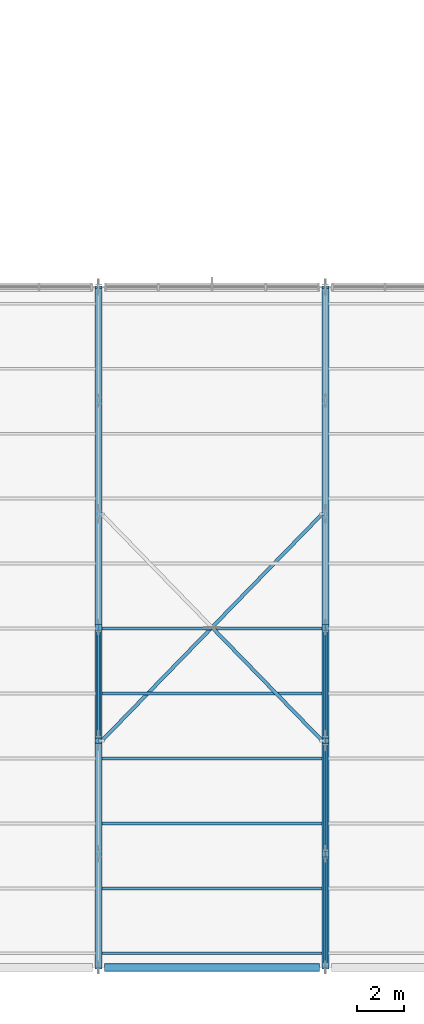
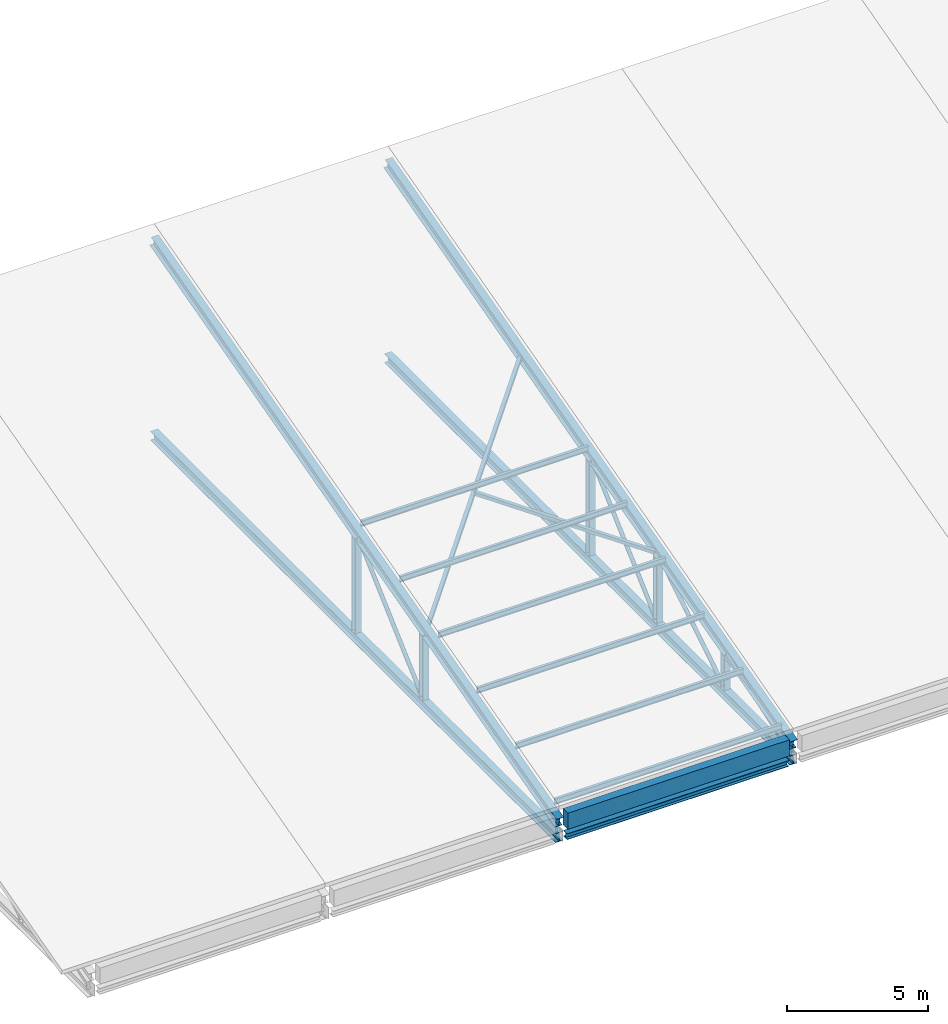
# One storey, part 4 of 57: 18 members, 5 beams.
"""IFC4 building model written with IfcOpenShell, lengths in metres."""

from ifc_helpers import new_model, si_unit, direction, frame, origin, origin_2d, place, context, subcontext, project, spatial, rectangle, hollow_rectangle, hollow_circle, i_section, extrude, material, material_profile, profile_set, type_object, element, save


model = new_model("IFC4")

# Units and contexts
model_context = context("Model", 3, precision=1e-05, world=origin(), true_north=direction((0.0, 1.0)))
body_context = subcontext(model_context, "Body", "Model", "MODEL_VIEW")
ifc_project = project(units=[si_unit("LENGTHUNIT", "METRE"), si_unit("AREAUNIT", "SQUARE_METRE"), si_unit("VOLUMEUNIT", "CUBIC_METRE"), si_unit("PLANEANGLEUNIT", "RADIAN"), si_unit("MASSUNIT", "GRAM", prefix="KILO")], contexts=[model_context])

# Site, building, storey
site_placement = place(None, origin())
site = spatial("IfcSite", under=ifc_project, at=site_placement, CompositionType="ELEMENT")
building_placement = place(site_placement, origin())
building = spatial("IfcBuilding", under=site, at=building_placement, Name="Shalvenor Court Art Gallery", CompositionType="ELEMENT")
storey_placement = place(building_placement, frame((0.0, 0.0, 16.800048828125)))
storey = spatial("IfcBuildingStorey", under=building, at=storey_placement, Name="L03", CompositionType="ELEMENT", Elevation=16.800048828125)

# Members
ifc_material_1 = material(Name="Steel S355", Category="steel")
ifc_material_profile_1 = material_profile(ifc_material_1, i_section(OverallWidth=0.1201171875, OverallDepth=0.239990234375, WebThickness=0.006103515625, FlangeThickness=0.009765625, at=origin_2d()), Name="IPE 240")
ifc_profile_set_1 = profile_set([ifc_material_profile_1], Name="Steel S355")
member_type_1 = type_object("IfcMemberType", Name="PR-02", PredefinedType="PURLIN", material=ifc_profile_set_1)
for number, where, z_axis, x_axis, name in (
    (1, (19.3349609375, 0.60009765625, -0.2138671875), (1.0, 0.0, 0.0), (0.0, 1.0, 0.0), "L03 V4 Roof Purlin 3.1"),
    (2, (19.3349609375, 3.35009765625, 0.531005859375), (1.0, 0.0, 0.0), (0.0, 1.0, 0.0), "L03 V4 Roof Purlin 3.2"),
    (3, (19.3349609375, 6.10009765625, 1.275634765625), (1.0, 0.0, 0.0), (0.0, 1.0, 0.0), "L03 V4 Roof Purlin 3.3"),
    (4, (19.3349609375, 8.85009765625, 2.0205078125), (1.0, 0.0, 0.0), (0.0, 1.0, 0.0), "L03 V4 Roof Purlin 3.4"),
    (5, (19.3349609375, 11.60009765625, 2.765380859375), (1.0, 0.0, 0.0), (0.0, 1.0, 0.0), "L03 V4 Roof Purlin 3.5"),
    (6, (19.3349609375, 14.35009765625, 3.51025390625), (1.0, 0.0, 0.0), (0.0, 1.0, 0.0), "L03 V4 Roof Purlin 3.6"),
):
    element("IfcMember", number, at=place(storey_placement, frame(where, z_axis=z_axis, x_axis=x_axis)), inside=storey, type_object=member_type_1, Name=name, PredefinedType="PURLIN", context=body_context, shape_type="SweptSolid", body=[
        extrude(i_section(OverallWidth=0.1201171875, OverallDepth=0.239990234375, WebThickness=0.006103515625, FlangeThickness=0.009765625, at=origin_2d()), origin(), (0.0, 0.0, 1.0), 9.330078125),
    ])

# Beams
ifc_material_2 = material(Name="Concrete C40/50", Category="concrete")
ifc_material_profile_2 = material_profile(ifc_material_2, rectangle(XDim=0.35009765625, YDim=0.699951171875, at=origin_2d()), Name="RC 350x700")
ifc_profile_set_2 = profile_set([ifc_material_profile_2], Name="Concrete C40/50")
beam_type_1 = type_object("IfcBeamType", Name="SP-01", PredefinedType="SPANDREL", material=ifc_profile_set_2)
beam_placement = place(storey_placement, frame((19.449951171875, 0.0, -0.650146484375), z_axis=(1.0, 0.0, 0.0), x_axis=(0.0, 1.0, 0.0)))
element("IfcBeam", 7, at=beam_placement, inside=storey, type_object=beam_type_1, Name="L03 Spandrel Girder BM-L03-SP-01-1042", PredefinedType="SPANDREL", context=body_context, shape_type="SweptSolid", body=[
    extrude(rectangle(XDim=0.35009765625, YDim=0.699951171875, at=origin_2d()), origin(), (0.0, 0.0, 1.0), 9.10009765625),
])
ifc_material_3 = material(Name="Steel S355", Category="steel")
ifc_material_profile_3 = material_profile(ifc_material_3, i_section(OverallWidth=0.300048828125, OverallDepth=0.43994140625, WebThickness=0.011474609375, FlangeThickness=0.02099609375, at=origin_2d()), Name="HEA 450")
ifc_profile_set_3 = profile_set([ifc_material_profile_3], Name="Steel S355")
beam_type_2 = type_object("IfcBeamType", Name="TC-02", PredefinedType="USERDEFINED", material=ifc_profile_set_3)
for number, where, z_axis, x_axis, name in (
    (8, (19.199951171875, 0.0, -0.708251953125), (0.0, 0.965228135416, 0.261408964271), (-1.0, 0.0, 0.0), "TR-V4-03 Roof Truss Continuous Top Chord"),
    (9, (28.800048828125, 0.0, -0.708251953125), (0.0, 0.965228135416, 0.261408964271), (-1.0, 0.0, 0.0), "TR-V4-04 Roof Truss Continuous Top Chord"),
):
    element("IfcBeam", number, at=place(storey_placement, frame(where, z_axis=z_axis, x_axis=x_axis)), inside=storey, type_object=beam_type_2, Name=name, ObjectType="ROOF TRUSS", PredefinedType="USERDEFINED", context=body_context, shape_type="SweptSolid", body=[
        extrude(i_section(OverallWidth=0.300048828125, OverallDepth=0.43994140625, WebThickness=0.011474609375, FlangeThickness=0.02099609375, at=origin_2d()), origin(), (0.0, 0.0, 1.0), 29.837646484375),
    ])
ifc_material_4 = material(Name="Steel S355", Category="steel")
ifc_material_profile_4 = material_profile(ifc_material_4, i_section(OverallWidth=0.300048828125, OverallDepth=0.39990234375, WebThickness=0.013427734375, FlangeThickness=0.02392578125, at=origin_2d()), Name="HEB 400")
ifc_profile_set_4 = profile_set([ifc_material_profile_4], Name="Steel S355")
beam_type_3 = type_object("IfcBeamType", Name="TC-04", PredefinedType="USERDEFINED", material=ifc_profile_set_4)
for number, where, z_axis, x_axis, name in (
    (10, (19.199951171875, 0.0, -1.35009765625), (0.0, 1.0, 0.0), (-1.0, 0.0, 0.0), "TR-V4-03 Roof Truss Continuous Bottom Chord"),
    (11, (28.800048828125, 0.0, -1.35009765625), (0.0, 1.0, 0.0), (-1.0, 0.0, 0.0), "TR-V4-04 Roof Truss Continuous Bottom Chord"),
):
    element("IfcBeam", number, at=place(storey_placement, frame(where, z_axis=z_axis, x_axis=x_axis)), inside=storey, type_object=beam_type_3, Name=name, ObjectType="ROOF TRUSS", PredefinedType="USERDEFINED", context=body_context, shape_type="SweptSolid", body=[
        extrude(i_section(OverallWidth=0.300048828125, OverallDepth=0.39990234375, WebThickness=0.013427734375, FlangeThickness=0.02392578125, at=origin_2d()), origin(), (0.0, 0.0, 1.0), 28.800048828125),
    ])

# Members
ifc_material_5 = material(Name="Steel S355", Category="steel")
ifc_material_profile_5 = material_profile(ifc_material_5, hollow_rectangle(XDim=0.14990234375, YDim=0.14990234375, WallThickness=0.008056640625, at=origin_2d()), Name="SHS 150x150x8.0")
ifc_profile_set_5 = profile_set([ifc_material_profile_5], Name="Steel S355")
member_type_2 = type_object("IfcMemberType", Name="TM-B1", PredefinedType="BRACE", material=ifc_profile_set_5)
member_1_placement = place(storey_placement, frame((19.3349609375, 9.60009765625, 1.8916015625), z_axis=(0.684173278342, 0.703955868685, 0.190664784759), x_axis=(-0.717111125885, 0.696958846082, 0.0)))
element("IfcMember", 12, at=member_1_placement, inside=storey, type_object=member_type_2, Name="L03 V4 Roof Plan Brace 3.1", PredefinedType="BRACE", context=body_context, shape_type="SweptSolid", body=[
    extrude(hollow_rectangle(XDim=0.14990234375, YDim=0.14990234375, WallThickness=0.008056640625, at=origin_2d()), origin(), (0.0, 0.0, 1.0), 13.636962890625),
])
member_2_placement = place(storey_placement, frame((28.6650390625, 9.60009765625, 1.8916015625), z_axis=(-0.684173061882, 0.703959927151, 0.190650576608), x_axis=(-0.71711324433, -0.696956666376, 0.0)))
element("IfcMember", 13, at=member_2_placement, inside=storey, type_object=member_type_2, Name="L03 V4 Roof Plan Brace 3.2A", PredefinedType="BRACE", context=body_context, shape_type="SweptSolid", body=[
    extrude(hollow_rectangle(XDim=0.14990234375, YDim=0.14990234375, WallThickness=0.008056640625, at=origin_2d()), origin(), (0.0, 0.0, 1.0), 6.798583984375),
])
ifc_material_6 = material(Name="Steel S355", Category="steel")
ifc_material_profile_6 = material_profile(ifc_material_6, i_section(OverallWidth=0.260009765625, OverallDepth=0.260009765625, WebThickness=0.010009765625, FlangeThickness=0.017578125, at=origin_2d()), Name="HEB 260")
ifc_profile_set_6 = profile_set([ifc_material_profile_6], Name="Steel S355")
member_type_3 = type_object("IfcMemberType", Name="TM-C1", PredefinedType="CHORD", material=ifc_profile_set_6)
member_3_placement = place(storey_placement, frame((19.449951171875, 0.0, -1.35009765625), z_axis=(1.0, 0.0, 0.0), x_axis=(0.0, 1.0, 0.0)))
element("IfcMember", 14, at=member_3_placement, inside=storey, type_object=member_type_3, Name="L03 V4 Eave Truss Chord Tie 3.1", PredefinedType="CHORD", context=body_context, shape_type="SweptSolid", body=[
    extrude(i_section(OverallWidth=0.260009765625, OverallDepth=0.260009765625, WebThickness=0.010009765625, FlangeThickness=0.017578125, at=origin_2d()), origin(), (0.0, 0.0, 1.0), 9.10009765625),
])
ifc_material_7 = material(Name="Steel S355", Category="steel")
ifc_material_profile_7 = material_profile(ifc_material_7, hollow_circle(Radius=0.084228515625, WallThickness=0.008056640625, at=origin_2d()), Name="CHS 168.3x8.0")
ifc_profile_set_7 = profile_set([ifc_material_profile_7], Name="Steel S355")
member_type_4 = type_object("IfcMemberType", Name="TM-D2", PredefinedType="BRACE", material=ifc_profile_set_7)
member_4_placement = place(storey_placement, frame((19.199951171875, 9.739990234375, -1.16015625), z_axis=(0.0, 0.737276451266, 0.675591174016), x_axis=(-1.0, 0.0, 0.0)))
element("IfcMember", 15, at=member_4_placement, inside=storey, type_object=member_type_4, Name="TR-V4-03 Roof Truss Diagonal 3", PredefinedType="BRACE", context=body_context, shape_type="SweptSolid", body=[
    extrude(hollow_circle(Radius=0.084228515625, WallThickness=0.008056640625, at=origin_2d()), origin(), (0.0, 0.0, 1.0), 6.130615234375),
])
member_5_placement = place(storey_placement, frame((28.800048828125, 0.139892578125, -1.16015625), z_axis=(0.0, 0.946456948747, 0.322830054625), x_axis=(-1.0, 0.0, 0.0)))
element("IfcMember", 16, at=member_5_placement, inside=storey, type_object=member_type_4, Name="TR-V4-04 Roof Truss Diagonal 1", PredefinedType="BRACE", context=body_context, shape_type="SweptSolid", body=[
    extrude(hollow_circle(Radius=0.084228515625, WallThickness=0.008056640625, at=origin_2d()), origin(), (0.0, 0.0, 1.0), 4.775634765625),
])
member_6_placement = place(storey_placement, frame((28.800048828125, 4.93994140625, -1.16015625), z_axis=(0.0, 0.84658238997, 0.532257697918), x_axis=(-1.0, 0.0, 0.0)))
element("IfcMember", 17, at=member_6_placement, inside=storey, type_object=member_type_4, Name="TR-V4-04 Roof Truss Diagonal 2", PredefinedType="BRACE", context=body_context, shape_type="SweptSolid", body=[
    extrude(hollow_circle(Radius=0.084228515625, WallThickness=0.008056640625, at=origin_2d()), origin(), (0.0, 0.0, 1.0), 5.339111328125),
])
member_7_placement = place(storey_placement, frame((28.800048828125, 9.739990234375, -1.16015625), z_axis=(0.0, 0.737276451266, 0.675591174016), x_axis=(-1.0, 0.0, 0.0)))
element("IfcMember", 18, at=member_7_placement, inside=storey, type_object=member_type_4, Name="TR-V4-04 Roof Truss Diagonal 3", PredefinedType="BRACE", context=body_context, shape_type="SweptSolid", body=[
    extrude(hollow_circle(Radius=0.084228515625, WallThickness=0.008056640625, at=origin_2d()), origin(), (0.0, 0.0, 1.0), 6.130615234375),
])
ifc_material_8 = material(Name="Steel S355", Category="steel")
ifc_material_profile_8 = material_profile(ifc_material_8, i_section(OverallWidth=0.260009765625, OverallDepth=0.260009765625, WebThickness=0.010009765625, FlangeThickness=0.017578125, at=origin_2d()), Name="HEB 260")
ifc_profile_set_8 = profile_set([ifc_material_profile_8], Name="Steel S355")
member_type_5 = type_object("IfcMemberType", Name="TM-V1", PredefinedType="STRUT", material=ifc_profile_set_8)
member_8_placement = place(storey_placement, frame((19.199951171875, 9.60009765625, -1.155029296875), z_axis=(0.0, 0.0, 1.0), x_axis=(1.0, 0.0, 0.0)))
element("IfcMember", 19, at=member_8_placement, inside=storey, type_object=member_type_5, Name="TR-V4-03 Roof Truss Vertical 3", PredefinedType="STRUT", context=body_context, shape_type="SweptSolid", body=[
    extrude(i_section(OverallWidth=0.260009765625, OverallDepth=0.260009765625, WebThickness=0.010009765625, FlangeThickness=0.017578125, at=origin_2d()), origin(), (0.0, 0.0, 1.0), 2.831787109375),
])
member_9_placement = place(storey_placement, frame((19.199951171875, 14.39990234375, -1.155029296875), z_axis=(0.0, 0.0, 1.0), x_axis=(1.0, 0.0, 0.0)))
element("IfcMember", 20, at=member_9_placement, inside=storey, type_object=member_type_5, Name="TR-V4-03 Roof Truss Vertical 4", PredefinedType="STRUT", context=body_context, shape_type="SweptSolid", body=[
    extrude(i_section(OverallWidth=0.260009765625, OverallDepth=0.260009765625, WebThickness=0.010009765625, FlangeThickness=0.017578125, at=origin_2d()), origin(), (0.0, 0.0, 1.0), 4.131591796875),
])
member_10_placement = place(storey_placement, frame((28.800048828125, 4.800048828125, -1.155029296875), z_axis=(0.0, 0.0, 1.0), x_axis=(1.0, 0.0, 0.0)))
element("IfcMember", 21, at=member_10_placement, inside=storey, type_object=member_type_5, Name="TR-V4-04 Roof Truss Vertical 2", PredefinedType="STRUT", context=body_context, shape_type="SweptSolid", body=[
    extrude(i_section(OverallWidth=0.260009765625, OverallDepth=0.260009765625, WebThickness=0.010009765625, FlangeThickness=0.017578125, at=origin_2d()), origin(), (0.0, 0.0, 1.0), 1.53173828125),
])
member_11_placement = place(storey_placement, frame((28.800048828125, 9.60009765625, -1.155029296875), z_axis=(0.0, 0.0, 1.0), x_axis=(1.0, 0.0, 0.0)))
element("IfcMember", 22, at=member_11_placement, inside=storey, type_object=member_type_5, Name="TR-V4-04 Roof Truss Vertical 3", PredefinedType="STRUT", context=body_context, shape_type="SweptSolid", body=[
    extrude(i_section(OverallWidth=0.260009765625, OverallDepth=0.260009765625, WebThickness=0.010009765625, FlangeThickness=0.017578125, at=origin_2d()), origin(), (0.0, 0.0, 1.0), 2.831787109375),
])
member_12_placement = place(storey_placement, frame((28.800048828125, 14.39990234375, -1.155029296875), z_axis=(0.0, 0.0, 1.0), x_axis=(1.0, 0.0, 0.0)))
element("IfcMember", 23, at=member_12_placement, inside=storey, type_object=member_type_5, Name="TR-V4-04 Roof Truss Vertical 4", PredefinedType="STRUT", context=body_context, shape_type="SweptSolid", body=[
    extrude(i_section(OverallWidth=0.260009765625, OverallDepth=0.260009765625, WebThickness=0.010009765625, FlangeThickness=0.017578125, at=origin_2d()), origin(), (0.0, 0.0, 1.0), 4.131591796875),
])

save(model, "model.ifc")
